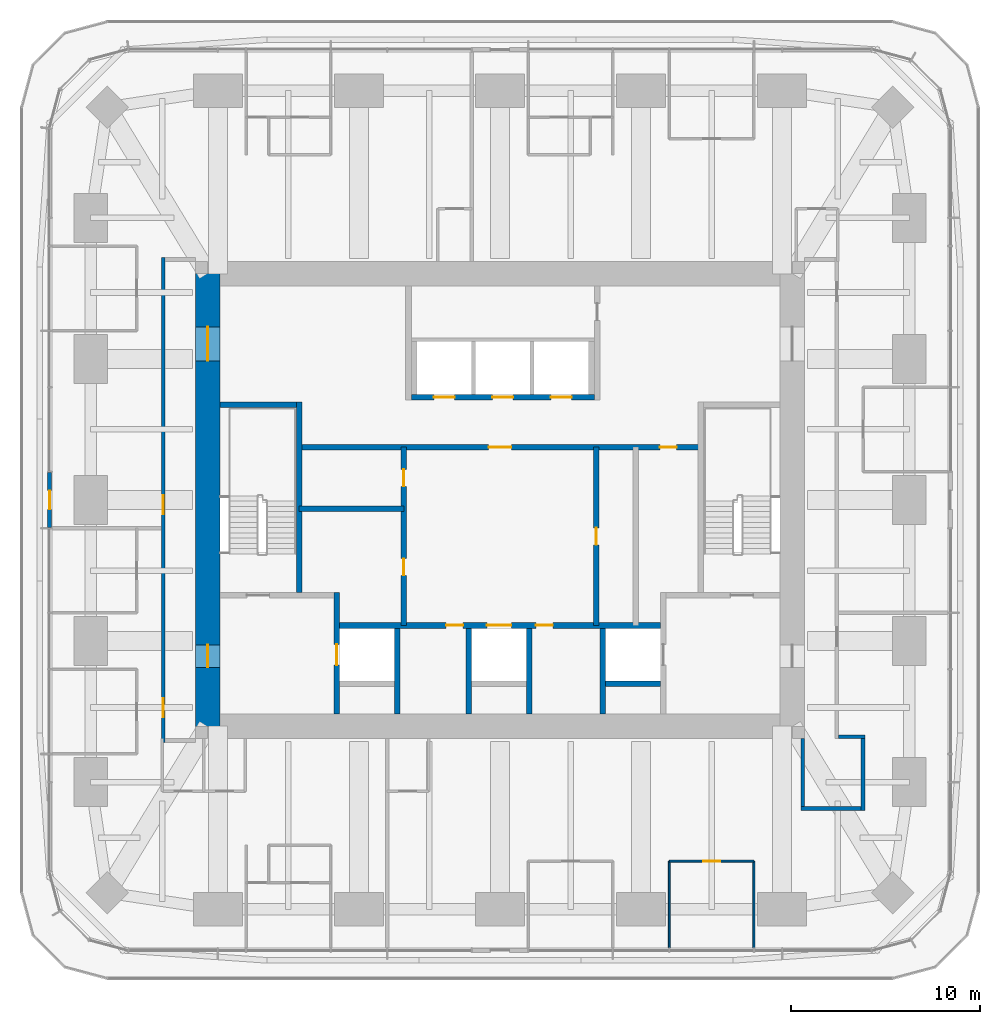
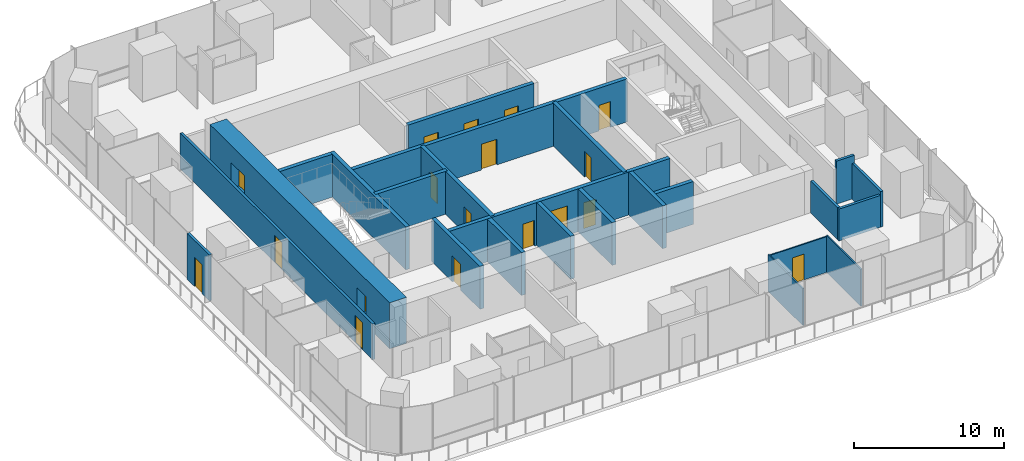
# One storey, part 9 of 15: 24 walls, 18 doors, 18 openings.
"""IFC4 building model written with IfcOpenShell, lengths in metres."""

from ifc_helpers import new_model, si_unit, direction, frame, frame_2d, origin, place, context, subcontext, project, spatial, rectangle, extrude, material, layer, layer_set, type_object, element, fill, save


model = new_model("IFC4")

# Units and contexts
model_context = context("Model", 3, precision=1e-05, world=origin(), true_north=direction((0.0, 1.0)))
body_context = subcontext(model_context, "Body", "Model", "MODEL_VIEW")
ifc_project = project(units=[si_unit("LENGTHUNIT", "METRE"), si_unit("AREAUNIT", "SQUARE_METRE"), si_unit("VOLUMEUNIT", "CUBIC_METRE"), si_unit("PLANEANGLEUNIT", "RADIAN"), si_unit("MASSUNIT", "GRAM", prefix="KILO")], contexts=[model_context])

# Site, building, storey
site_placement = place(None, origin())
site = spatial("IfcSite", under=ifc_project, at=site_placement, CompositionType="ELEMENT")
building_placement = place(site_placement, origin())
building = spatial("IfcBuilding", under=site, at=building_placement, Name="Khuree Lantern Residences", CompositionType="ELEMENT")
storey_placement = place(building_placement, frame((0.0, 0.0, 285.75)))
storey = spatial("IfcBuildingStorey", under=building, at=storey_placement, Name="L71", CompositionType="ELEMENT", Elevation=285.75)

# Wall, opening, door
ifc_material_1 = material(Name="Dense concrete blockwork", Category="masonry")
ifc_layer_1 = layer(ifc_material_1, 0.300048828125)
ifc_layer_set_1 = layer_set([ifc_layer_1], Name="CORE PARTITION WALL CPW300 EI 120")
wall_type_1 = type_object("IfcWallType", Name="CORE PARTITION WALL CPW300 EI 120", PredefinedType="PARTITIONING", material=ifc_layer_set_1)
wall_1_placement = place(storey_placement, frame((-8.64990234375, -11.35009765625, 0.0), z_axis=(0.0, 0.0, 1.0), x_axis=(0.0, 1.0, 0.0)))
wall_1 = element("IfcWall", 1, at=wall_1_placement, inside=storey, type_object=wall_type_1, Name="L71 CORE WALL FL1W", PredefinedType="PARTITIONING", context=body_context, shape_type="SweptSolid", body=[
    extrude(rectangle(XDim=6.4501953125, YDim=0.300048828125, at=frame_2d((3.22509765625, 0.0))), origin(), (0.0, 0.0, 1.0), 3.5),
])
opening_1_placement = place(wall_1_placement, frame((2.60009765625, 0.0, 0.0)))
opening_1 = element("IfcOpeningElement", 2, at=opening_1_placement, cuts=wall_1, Name="Opening 71-007", PredefinedType="OPENING", context=body_context, shape_type="SweptSolid", body=[
    extrude(rectangle(XDim=1.10009765625, YDim=2.10009765625, at=frame_2d((0.550048828125, 1.050048828125))), frame((0.0, 0.16015625, 0.0), z_axis=(0.0, -1.0, 0.0), x_axis=(1.0, 0.0, 0.0)), (0.0, 0.0, 1.0), 0.320068359375),
])
ifc_material_2 = material(Name="Stainless steel lift landing door", Category="steel")
door_type_1 = type_object("IfcDoorType", Name="LIFT LANDING DOOR 1100X2100 E 120", OperationType="DOUBLE_DOOR_SLIDING", PredefinedType="DOOR", material=ifc_material_2)
door_1_placement = place(opening_1_placement, origin())
door_1 = element("IfcDoor", 3, at=door_1_placement, inside=storey, type_object=door_type_1, Name="Landing door FL1 71-007", OperationType="DOUBLE_DOOR_SLIDING", OverallHeight=2.10009765625, OverallWidth=1.10009765625, PredefinedType="DOOR", context=body_context, shape_type="SweptSolid", body=[
    extrude(rectangle(XDim=1.10009765625, YDim=2.10009765625, at=frame_2d((0.550048828125, 1.050048828125))), frame((0.0, 0.02490234375, 0.0), z_axis=(0.0, -1.0, 0.0), x_axis=(1.0, 0.0, 0.0)), (0.0, 0.0, 1.0), 0.050048828125),
])
fill(opening_1, door_1)

# Wall, openings, doors
wall_2_placement = place(storey_placement, frame((-8.5, -6.64990234375, 0.0), z_axis=(0.0, 0.0, 1.0), x_axis=(1.0, 0.0, 0.0)))
wall_2 = element("IfcWall", 4, at=wall_2_placement, inside=storey, type_object=wall_type_1, Name="L71 CORE WALL FLROW", PredefinedType="PARTITIONING", context=body_context, shape_type="SweptSolid", body=[
    extrude(rectangle(XDim=17.0, YDim=0.300048828125, at=frame_2d((8.5, 0.0))), origin(), (0.0, 0.0, 1.0), 3.5),
])
opening_2_placement = place(wall_2_placement, frame((7.800048828125, 0.0, 0.0)))
opening_2 = element("IfcOpeningElement", 5, at=opening_2_placement, cuts=wall_2, Name="Opening 71-012", PredefinedType="OPENING", context=body_context, shape_type="SweptSolid", body=[
    extrude(rectangle(XDim=1.300048828125, YDim=2.39990234375, at=frame_2d((0.64990234375, 1.199951171875))), frame((0.0, 0.16015625, 0.0), z_axis=(0.0, -1.0, 0.0), x_axis=(1.0, 0.0, 0.0)), (0.0, 0.0, 1.0), 0.320068359375),
])
opening_3_placement = place(wall_2_placement, frame((5.64990234375, 0.0, 0.0)))
opening_3 = element("IfcOpeningElement", 6, at=opening_3_placement, cuts=wall_2, Name="Opening 71-014", PredefinedType="OPENING", context=body_context, shape_type="SweptSolid", body=[
    extrude(rectangle(XDim=0.89990234375, YDim=2.10009765625, at=frame_2d((0.449951171875, 1.050048828125))), frame((0.0, 0.16015625, 0.0), z_axis=(0.0, -1.0, 0.0), x_axis=(1.0, 0.0, 0.0)), (0.0, 0.0, 1.0), 0.320068359375),
])
opening_4_placement = place(wall_2_placement, frame((10.39990234375, 0.0, 0.0)))
opening_4 = element("IfcOpeningElement", 7, at=opening_4_placement, cuts=wall_2, Name="Opening 71-015", PredefinedType="OPENING", context=body_context, shape_type="SweptSolid", body=[
    extrude(rectangle(XDim=0.89990234375, YDim=2.10009765625, at=frame_2d((0.449951171875, 1.050048828125))), frame((0.0, 0.16015625, 0.0), z_axis=(0.0, -1.0, 0.0), x_axis=(1.0, 0.0, 0.0)), (0.0, 0.0, 1.0), 0.320068359375),
])
ifc_material_3 = material(Name="Steel door leaf in steel frame", Category="steel")
door_type_2 = type_object("IfcDoorType", Name="DOOR 900X2100 EI 60", OperationType="SINGLE_SWING_LEFT", PredefinedType="DOOR", material=ifc_material_3)
door_2_placement = place(opening_3_placement, origin())
door_2 = element("IfcDoor", 8, at=door_2_placement, inside=storey, type_object=door_type_2, Name="Refuse chute room door 71-014", OperationType="SINGLE_SWING_LEFT", OverallHeight=2.10009765625, OverallWidth=0.89990234375, PredefinedType="DOOR", context=body_context, shape_type="SweptSolid", body=[
    extrude(rectangle(XDim=0.89990234375, YDim=2.10009765625, at=frame_2d((0.449951171875, 1.050048828125))), frame((0.0, 0.02490234375, 0.0), z_axis=(0.0, -1.0, 0.0), x_axis=(1.0, 0.0, 0.0)), (0.0, 0.0, 1.0), 0.050048828125),
])
fill(opening_3, door_2)
door_type_3 = type_object("IfcDoorType", Name="DOOR 900X2100 EI 60 RIGHT HAND", OperationType="SINGLE_SWING_RIGHT", PredefinedType="DOOR", material=ifc_material_3)
door_3_placement = place(opening_4_placement, origin())
door_3 = element("IfcDoor", 9, at=door_3_placement, inside=storey, type_object=door_type_3, Name="Electrical and plumbing riser door 71-015", OperationType="SINGLE_SWING_RIGHT", OverallHeight=2.10009765625, OverallWidth=0.89990234375, PredefinedType="DOOR", context=body_context, shape_type="SweptSolid", body=[
    extrude(rectangle(XDim=0.89990234375, YDim=2.10009765625, at=frame_2d((0.449951171875, 1.050048828125))), frame((0.0, 0.02490234375, 0.0), z_axis=(0.0, -1.0, 0.0), x_axis=(1.0, 0.0, 0.0)), (0.0, 0.0, 1.0), 0.050048828125),
])
fill(opening_4, door_3)
door_type_4 = type_object("IfcDoorType", Name="LIFT LANDING DOOR 1300X2400 E 60", OperationType="DOUBLE_DOOR_SLIDING", PredefinedType="DOOR", material=ifc_material_2)
door_4_placement = place(opening_2_placement, origin())
door_4 = element("IfcDoor", 10, at=door_4_placement, inside=storey, type_object=door_type_4, Name="Landing door SL1 71-012", OperationType="DOUBLE_DOOR_SLIDING", OverallHeight=2.39990234375, OverallWidth=1.300048828125, PredefinedType="DOOR", context=body_context, shape_type="SweptSolid", body=[
    extrude(rectangle(XDim=1.300048828125, YDim=2.39990234375, at=frame_2d((0.64990234375, 1.199951171875))), frame((0.0, 0.02490234375, 0.0), z_axis=(0.0, -1.0, 0.0), x_axis=(1.0, 0.0, 0.0)), (0.0, 0.0, 1.0), 0.050048828125),
])
fill(opening_2, door_4)

# Walls
for number, where, z_axis, x_axis, name in (
    (11, (-5.449951171875, -11.35009765625, 0.0), (0.0, 0.0, 1.0), (0.0, 1.0, 0.0), "L71 CORE WALL FL1E"),
    (12, (-1.64990234375, -11.35009765625, 0.0), (0.0, 0.0, 1.0), (0.0, 1.0, 0.0), "L71 CORE WALL SL1W"),
    (13, (1.550048828125, -11.35009765625, 0.0), (0.0, 0.0, 1.0), (0.0, 1.0, 0.0), "L71 CORE WALL SL1E"),
    (14, (5.449951171875, -11.35009765625, 0.0), (0.0, 0.0, 1.0), (0.0, 1.0, 0.0), "L71 CORE WALL FL2W"),
):
    element("IfcWall", number, at=place(storey_placement, frame(where, z_axis=z_axis, x_axis=x_axis)), inside=storey, type_object=wall_type_1, Name=name, PredefinedType="PARTITIONING", context=body_context, shape_type="SweptSolid", body=[
        extrude(rectangle(XDim=4.550048828125, YDim=0.300048828125, at=frame_2d((2.27490234375, 0.0))), origin(), (0.0, 0.0, 1.0), 3.5),
    ])
wall_3_placement = place(storey_placement, frame((5.60009765625, -9.75, 0.0), z_axis=(0.0, 0.0, 1.0), x_axis=(1.0, 0.0, 0.0)))
element("IfcWall", 15, at=wall_3_placement, inside=storey, type_object=wall_type_1, Name="L71 CORE WALL FL2S", PredefinedType="PARTITIONING", context=body_context, shape_type="SweptSolid", body=[
    extrude(rectangle(XDim=2.89990234375, YDim=0.300048828125, at=frame_2d((1.449951171875, 0.0))), origin(), (0.0, 0.0, 1.0), 3.5),
])

# Wall, openings, doors
wall_4_placement = place(storey_placement, frame((-4.699951171875, 5.449951171875, 0.0), z_axis=(0.0, 0.0, 1.0), x_axis=(1.0, 0.0, 0.0)))
wall_4 = element("IfcWall", 16, at=wall_4_placement, inside=storey, type_object=wall_type_1, Name="L71 CORE WALL PHS", PredefinedType="PARTITIONING", context=body_context, shape_type="SweptSolid", body=[
    extrude(rectangle(XDim=9.699951171875, YDim=0.300048828125, at=frame_2d((4.85009765625, 0.0))), origin(), (0.0, 0.0, 1.0), 3.5),
])
opening_5_placement = place(wall_4_placement, frame((1.199951171875, 0.0, 0.0)))
opening_5 = element("IfcOpeningElement", 17, at=opening_5_placement, cuts=wall_4, Name="Opening 71-009", PredefinedType="OPENING", context=body_context, shape_type="SweptSolid", body=[
    extrude(rectangle(XDim=1.10009765625, YDim=2.10009765625, at=frame_2d((0.550048828125, 1.050048828125))), frame((0.0, 0.16015625, 0.0), z_axis=(0.0, -1.0, 0.0), x_axis=(1.0, 0.0, 0.0)), (0.0, 0.0, 1.0), 0.320068359375),
])
opening_6_placement = place(wall_4_placement, frame((4.300048828125, 0.0, 0.0)))
opening_6 = element("IfcOpeningElement", 18, at=opening_6_placement, cuts=wall_4, Name="Opening 71-010", PredefinedType="OPENING", context=body_context, shape_type="SweptSolid", body=[
    extrude(rectangle(XDim=1.10009765625, YDim=2.10009765625, at=frame_2d((0.550048828125, 1.050048828125))), frame((0.0, 0.16015625, 0.0), z_axis=(0.0, -1.0, 0.0), x_axis=(1.0, 0.0, 0.0)), (0.0, 0.0, 1.0), 0.320068359375),
])
opening_7_placement = place(wall_4_placement, frame((7.39990234375, 0.0, 0.0)))
opening_7 = element("IfcOpeningElement", 19, at=opening_7_placement, cuts=wall_4, Name="Opening 71-011", PredefinedType="OPENING", context=body_context, shape_type="SweptSolid", body=[
    extrude(rectangle(XDim=1.10009765625, YDim=2.10009765625, at=frame_2d((0.550048828125, 1.050048828125))), frame((0.0, 0.16015625, 0.0), z_axis=(0.0, -1.0, 0.0), x_axis=(1.0, 0.0, 0.0)), (0.0, 0.0, 1.0), 0.320068359375),
])
door_type_5 = type_object("IfcDoorType", Name="LIFT LANDING DOOR 1100X2100 E 60", OperationType="DOUBLE_DOOR_SLIDING", PredefinedType="DOOR", material=ifc_material_2)
door_5_placement = place(opening_5_placement, origin())
door_5 = element("IfcDoor", 20, at=door_5_placement, inside=storey, type_object=door_type_5, Name="Landing door PH1 71-009", OperationType="DOUBLE_DOOR_SLIDING", OverallHeight=2.10009765625, OverallWidth=1.10009765625, PredefinedType="DOOR", context=body_context, shape_type="SweptSolid", body=[
    extrude(rectangle(XDim=1.10009765625, YDim=2.10009765625, at=frame_2d((0.550048828125, 1.050048828125))), frame((0.0, 0.02490234375, 0.0), z_axis=(0.0, -1.0, 0.0), x_axis=(1.0, 0.0, 0.0)), (0.0, 0.0, 1.0), 0.050048828125),
])
fill(opening_5, door_5)
door_6_placement = place(opening_6_placement, origin())
door_6 = element("IfcDoor", 21, at=door_6_placement, inside=storey, type_object=door_type_5, Name="Landing door PH2 71-010", OperationType="DOUBLE_DOOR_SLIDING", OverallHeight=2.10009765625, OverallWidth=1.10009765625, PredefinedType="DOOR", context=body_context, shape_type="SweptSolid", body=[
    extrude(rectangle(XDim=1.10009765625, YDim=2.10009765625, at=frame_2d((0.550048828125, 1.050048828125))), frame((0.0, 0.02490234375, 0.0), z_axis=(0.0, -1.0, 0.0), x_axis=(1.0, 0.0, 0.0)), (0.0, 0.0, 1.0), 0.050048828125),
])
fill(opening_6, door_6)
door_7_placement = place(opening_7_placement, origin())
door_7 = element("IfcDoor", 22, at=door_7_placement, inside=storey, type_object=door_type_5, Name="Landing door PH3 71-011", OperationType="DOUBLE_DOOR_SLIDING", OverallHeight=2.10009765625, OverallWidth=1.10009765625, PredefinedType="DOOR", context=body_context, shape_type="SweptSolid", body=[
    extrude(rectangle(XDim=1.10009765625, YDim=2.10009765625, at=frame_2d((0.550048828125, 1.050048828125))), frame((0.0, 0.02490234375, 0.0), z_axis=(0.0, -1.0, 0.0), x_axis=(1.0, 0.0, 0.0)), (0.0, 0.0, 1.0), 0.050048828125),
])
fill(opening_7, door_7)

wall_5_placement = place(storey_placement, frame((-10.64990234375, 2.800048828125, 0.0), z_axis=(0.0, 0.0, 1.0), x_axis=(1.0, 0.0, 0.0)))
wall_5 = element("IfcWall", 23, at=wall_5_placement, inside=storey, type_object=wall_type_1, Name="L71 CORE WALL LLS", PredefinedType="PARTITIONING", context=body_context, shape_type="SweptSolid", body=[
    extrude(rectangle(XDim=21.2998046875, YDim=0.300048828125, at=frame_2d((10.64990234375, 0.0))), origin(), (0.0, 0.0, 1.0), 3.5),
])
opening_8_placement = place(wall_5_placement, frame((10.050048828125, 0.0, 0.0)))
opening_8 = element("IfcOpeningElement", 24, at=opening_8_placement, cuts=wall_5, Name="Opening 71-013", PredefinedType="OPENING", context=body_context, shape_type="SweptSolid", body=[
    extrude(rectangle(XDim=1.199951171875, YDim=2.10009765625, at=frame_2d((0.60009765625, 1.050048828125))), frame((0.0, 0.16015625, 0.0), z_axis=(0.0, -1.0, 0.0), x_axis=(1.0, 0.0, 0.0)), (0.0, 0.0, 1.0), 0.320068359375),
])
opening_9_placement = place(wall_5_placement, frame((19.12109375, 0.0, 0.0)))
opening_9 = element("IfcOpeningElement", 25, at=opening_9_placement, cuts=wall_5, Name="Opening 71-019", PredefinedType="OPENING", context=body_context, shape_type="SweptSolid", body=[
    extrude(rectangle(XDim=0.89990234375, YDim=2.10009765625, at=frame_2d((0.449951171875, 1.050048828125))), frame((0.0, 0.16015625, 0.0), z_axis=(0.0, -1.0, 0.0), x_axis=(1.0, 0.0, 0.0)), (0.0, 0.0, 1.0), 0.320068359375),
])
door_type_6 = type_object("IfcDoorType", Name="DOOR 1200X2100 EI 60", OperationType="SINGLE_SWING_LEFT", PredefinedType="DOOR", material=ifc_material_3)
door_8_placement = place(opening_8_placement, origin())
door_8 = element("IfcDoor", 26, at=door_8_placement, inside=storey, type_object=door_type_6, Name="Service lift lobby door 71-013", OperationType="SINGLE_SWING_LEFT", OverallHeight=2.10009765625, OverallWidth=1.199951171875, PredefinedType="DOOR", context=body_context, shape_type="SweptSolid", body=[
    extrude(rectangle(XDim=1.199951171875, YDim=2.10009765625, at=frame_2d((0.60009765625, 1.050048828125))), frame((0.0, 0.02490234375, 0.0), z_axis=(0.0, -1.0, 0.0), x_axis=(1.0, 0.0, 0.0)), (0.0, 0.0, 1.0), 0.050048828125),
])
fill(opening_8, door_8)
ifc_material_4 = material(Name="Timber door leaf in hardwood frame", Category="wood")
door_type_7 = type_object("IfcDoorType", Name="DOOR 900X2100 RIGHT HAND", OperationType="SINGLE_SWING_RIGHT", PredefinedType="DOOR", material=ifc_material_4)
door_9_placement = place(opening_9_placement, origin())
door_9 = element("IfcDoor", 27, at=door_9_placement, inside=storey, type_object=door_type_7, Name="Residents' store door 71-019", OperationType="SINGLE_SWING_RIGHT", OverallHeight=2.10009765625, OverallWidth=0.89990234375, PredefinedType="DOOR", context=body_context, shape_type="SweptSolid", body=[
    extrude(rectangle(XDim=0.89990234375, YDim=2.10009765625, at=frame_2d((0.449951171875, 1.050048828125))), frame((0.0, 0.02490234375, 0.0), z_axis=(0.0, -1.0, 0.0), x_axis=(1.0, 0.0, 0.0)), (0.0, 0.0, 1.0), 0.050048828125),
])
fill(opening_9, door_9)

wall_6_placement = place(storey_placement, frame((-5.10009765625, -6.64990234375, 0.0), z_axis=(0.0, 0.0, 1.0), x_axis=(0.0, 1.0, 0.0)))
wall_6 = element("IfcWall", 28, at=wall_6_placement, inside=storey, type_object=wall_type_1, Name="L71 CORE WALL SVW", PredefinedType="PARTITIONING", context=body_context, shape_type="SweptSolid", body=[
    extrude(rectangle(XDim=9.449951171875, YDim=0.300048828125, at=frame_2d((4.72509765625, 0.0))), origin(), (0.0, 0.0, 1.0), 3.5),
])
opening_10_placement = place(wall_6_placement, frame((2.64794921875, 0.0, 0.0)))
opening_10 = element("IfcOpeningElement", 29, at=opening_10_placement, cuts=wall_6, Name="Opening 71-016", PredefinedType="OPENING", context=body_context, shape_type="SweptSolid", body=[
    extrude(rectangle(XDim=0.89990234375, YDim=2.10009765625, at=frame_2d((0.449951171875, 1.050048828125))), frame((0.0, 0.16015625, 0.0), z_axis=(0.0, -1.0, 0.0), x_axis=(1.0, 0.0, 0.0)), (0.0, 0.0, 1.0), 0.320068359375),
])
opening_11_placement = place(wall_6_placement, frame((7.373046875, 0.0, 0.0)))
opening_11 = element("IfcOpeningElement", 30, at=opening_11_placement, cuts=wall_6, Name="Opening 71-017", PredefinedType="OPENING", context=body_context, shape_type="SweptSolid", body=[
    extrude(rectangle(XDim=0.89990234375, YDim=2.10009765625, at=frame_2d((0.449951171875, 1.050048828125))), frame((0.0, 0.16015625, 0.0), z_axis=(0.0, -1.0, 0.0), x_axis=(1.0, 0.0, 0.0)), (0.0, 0.0, 1.0), 0.320068359375),
])
door_type_8 = type_object("IfcDoorType", Name="DOOR 900X2100", OperationType="SINGLE_SWING_LEFT", PredefinedType="DOOR", material=ifc_material_4)
door_10_placement = place(opening_10_placement, origin())
door_10 = element("IfcDoor", 31, at=door_10_placement, inside=storey, type_object=door_type_8, Name="Residents' store door 71-016", OperationType="SINGLE_SWING_LEFT", OverallHeight=2.10009765625, OverallWidth=0.89990234375, PredefinedType="DOOR", context=body_context, shape_type="SweptSolid", body=[
    extrude(rectangle(XDim=0.89990234375, YDim=2.10009765625, at=frame_2d((0.449951171875, 1.050048828125))), frame((0.0, 0.02490234375, 0.0), z_axis=(0.0, -1.0, 0.0), x_axis=(1.0, 0.0, 0.0)), (0.0, 0.0, 1.0), 0.050048828125),
])
fill(opening_10, door_10)
door_11_placement = place(opening_11_placement, origin())
door_11 = element("IfcDoor", 32, at=door_11_placement, inside=storey, type_object=door_type_8, Name="Parcel room door 71-017", OperationType="SINGLE_SWING_LEFT", OverallHeight=2.10009765625, OverallWidth=0.89990234375, PredefinedType="DOOR", context=body_context, shape_type="SweptSolid", body=[
    extrude(rectangle(XDim=0.89990234375, YDim=2.10009765625, at=frame_2d((0.449951171875, 1.050048828125))), frame((0.0, 0.02490234375, 0.0), z_axis=(0.0, -1.0, 0.0), x_axis=(1.0, 0.0, 0.0)), (0.0, 0.0, 1.0), 0.050048828125),
])
fill(opening_11, door_11)

# Wall, opening, door
wall_7_placement = place(storey_placement, frame((5.10009765625, -6.64990234375, 0.0), z_axis=(0.0, 0.0, 1.0), x_axis=(0.0, 1.0, 0.0)))
wall_7 = element("IfcWall", 33, at=wall_7_placement, inside=storey, type_object=wall_type_1, Name="L71 CORE WALL SVE", PredefinedType="PARTITIONING", context=body_context, shape_type="SweptSolid", body=[
    extrude(rectangle(XDim=9.449951171875, YDim=0.300048828125, at=frame_2d((4.72509765625, 0.0))), origin(), (0.0, 0.0, 1.0), 3.5),
])
opening_12_placement = place(wall_7_placement, frame((4.27490234375, 0.0, 0.0)))
opening_12 = element("IfcOpeningElement", 34, at=opening_12_placement, cuts=wall_7, Name="Opening 71-018", PredefinedType="OPENING", context=body_context, shape_type="SweptSolid", body=[
    extrude(rectangle(XDim=0.89990234375, YDim=2.10009765625, at=frame_2d((0.449951171875, 1.050048828125))), frame((0.0, 0.16015625, 0.0), z_axis=(0.0, -1.0, 0.0), x_axis=(1.0, 0.0, 0.0)), (0.0, 0.0, 1.0), 0.320068359375),
])
door_12_placement = place(opening_12_placement, origin())
door_12 = element("IfcDoor", 35, at=door_12_placement, inside=storey, type_object=door_type_8, Name="Bulky waste store door 71-018", OperationType="SINGLE_SWING_LEFT", OverallHeight=2.10009765625, OverallWidth=0.89990234375, PredefinedType="DOOR", context=body_context, shape_type="SweptSolid", body=[
    extrude(rectangle(XDim=0.89990234375, YDim=2.10009765625, at=frame_2d((0.449951171875, 1.050048828125))), frame((0.0, 0.02490234375, 0.0), z_axis=(0.0, -1.0, 0.0), x_axis=(1.0, 0.0, 0.0)), (0.0, 0.0, 1.0), 0.050048828125),
])
fill(opening_12, door_12)

# Walls
wall_8_placement = place(storey_placement, frame((-10.64990234375, -0.455078125, 0.0), z_axis=(0.0, 0.0, 1.0), x_axis=(1.0, 0.0, 0.0)))
element("IfcWall", 36, at=wall_8_placement, inside=storey, type_object=wall_type_1, Name="L71 CORE WALL WX", PredefinedType="PARTITIONING", context=body_context, shape_type="SweptSolid", body=[
    extrude(rectangle(XDim=5.5498046875, YDim=0.300048828125, at=frame_2d((2.77490234375, 0.0))), origin(), (0.0, 0.0, 1.0), 3.5),
])
ifc_material_5 = material(Name="Gypsum board on steel studs", Category="steel")
ifc_layer_2 = layer(ifc_material_5, 0.199951171875)
ifc_layer_set_2 = layer_set([ifc_layer_2], Name="CORRIDOR WALL CRW200 EI 60")
wall_type_2 = type_object("IfcWallType", Name="CORRIDOR WALL CRW200 EI 60", PredefinedType="PARTITIONING", material=ifc_layer_set_2)
wall_9_placement = place(storey_placement, frame((17.949951171875, -12.550048828125, 0.0), z_axis=(0.0, 0.0, 1.0), x_axis=(1.0, 0.0, 0.0)))
element("IfcWall", 37, at=wall_9_placement, inside=storey, type_object=wall_type_2, Name="L71 RESIDENTS LOUNGE WALL", PredefinedType="PARTITIONING", context=body_context, shape_type="SweptSolid", body=[
    extrude(rectangle(XDim=1.400146484375, YDim=0.199951171875, at=frame_2d((0.7001953125, 0.0))), origin(), (0.0, 0.0, 1.0), 3.5),
])
wall_10_placement = place(storey_placement, frame((19.25, -12.449951171875, 0.0), z_axis=(0.0, 0.0, 1.0), x_axis=(0.0, -1.0, 0.0)))
element("IfcWall", 38, at=wall_10_placement, inside=storey, type_object=wall_type_2, Name="L71 RESIDENTS LOUNGE WALL", PredefinedType="PARTITIONING", context=body_context, shape_type="SweptSolid", body=[
    extrude(rectangle(XDim=4.0, YDim=0.199951171875, at=frame_2d((2.0, 0.0))), origin(), (0.0, 0.0, 1.0), 2.89990234375),
])
wall_11_placement = place(storey_placement, frame((19.14990234375, -16.35009765625, 0.0), z_axis=(0.0, 0.0, 1.0), x_axis=(-1.0, 0.0, 0.0)))
element("IfcWall", 39, at=wall_11_placement, inside=storey, type_object=wall_type_2, Name="L71 RESIDENTS LOUNGE WALL", PredefinedType="PARTITIONING", context=body_context, shape_type="SweptSolid", body=[
    extrude(rectangle(XDim=3.199951171875, YDim=0.199951171875, at=frame_2d((1.60009765625, 0.0))), origin(), (0.0, 0.0, 1.0), 2.60009765625),
])
wall_12_placement = place(storey_placement, frame((16.050048828125, -16.449951171875, 0.0), z_axis=(0.0, 0.0, 1.0), x_axis=(0.0, 1.0, 0.0)))
element("IfcWall", 40, at=wall_12_placement, inside=storey, type_object=wall_type_2, Name="L71 RESIDENTS LOUNGE WALL", PredefinedType="PARTITIONING", context=body_context, shape_type="SweptSolid", body=[
    extrude(rectangle(XDim=3.800048828125, YDim=0.199951171875, at=frame_2d((1.89990234375, 0.0))), origin(), (0.0, 0.0, 1.0), 2.60009765625),
])

# Wall, openings, doors
wall_13_placement = place(storey_placement, frame((-17.85009765625, 12.85009765625, 0.0), z_axis=(0.0, 0.0, 1.0), x_axis=(0.0, -1.0, 0.0)))
wall_13 = element("IfcWall", 41, at=wall_13_placement, inside=storey, type_object=wall_type_2, Name="L71 CORRIDOR WALL WEST 1", PredefinedType="PARTITIONING", context=body_context, shape_type="SweptSolid", body=[
    extrude(rectangle(XDim=25.7001953125, YDim=0.199951171875, at=frame_2d((12.85009765625, 0.0))), origin(), (0.0, 0.0, 1.0), 2.89990234375),
])
opening_13_placement = place(wall_13_placement, frame((12.60009765625, 0.0, 0.0)))
opening_13 = element("IfcOpeningElement", 42, at=opening_13_placement, cuts=wall_13, Name="Opening 71-031", PredefinedType="OPENING", context=body_context, shape_type="SweptSolid", body=[
    extrude(rectangle(XDim=1.0, YDim=2.199951171875, at=frame_2d((0.5, 1.10009765625))), frame((0.0, 0.10986328125, 0.0), z_axis=(0.0, -1.0, 0.0), x_axis=(1.0, 0.0, 0.0)), (0.0, 0.0, 1.0), 0.219970703125),
])
opening_14_placement = place(wall_13_placement, frame((23.365966796875, 0.0, 0.0)))
opening_14 = element("IfcOpeningElement", 43, at=opening_14_placement, cuts=wall_13, Name="Opening 71-038", PredefinedType="OPENING", context=body_context, shape_type="SweptSolid", body=[
    extrude(rectangle(XDim=1.0, YDim=2.199951171875, at=frame_2d((0.5, 1.10009765625))), frame((0.0, 0.10986328125, 0.0), z_axis=(0.0, -1.0, 0.0), x_axis=(1.0, 0.0, 0.0)), (0.0, 0.0, 1.0), 0.219970703125),
])
door_type_9 = type_object("IfcDoorType", Name="APARTMENT ENTRANCE DOOR 1000X2200 EI 30S", OperationType="SINGLE_SWING_LEFT", PredefinedType="DOOR", material=ifc_material_4)
door_13_placement = place(opening_13_placement, origin())
door_13 = element("IfcDoor", 44, at=door_13_placement, inside=storey, type_object=door_type_9, Name="Apartment 02 entrance door 71-031", OperationType="SINGLE_SWING_LEFT", OverallHeight=2.199951171875, OverallWidth=1.0, PredefinedType="DOOR", context=body_context, shape_type="SweptSolid", body=[
    extrude(rectangle(XDim=1.0, YDim=2.199951171875, at=frame_2d((0.5, 1.10009765625))), frame((0.0, 0.02490234375, 0.0), z_axis=(0.0, -1.0, 0.0), x_axis=(1.0, 0.0, 0.0)), (0.0, 0.0, 1.0), 0.050048828125),
])
fill(opening_13, door_13)
door_type_10 = type_object("IfcDoorType", Name="APARTMENT ENTRANCE DOOR 1000X2200 EI 30S RIGHT HAND", OperationType="SINGLE_SWING_RIGHT", PredefinedType="DOOR", material=ifc_material_4)
door_14_placement = place(opening_14_placement, origin())
door_14 = element("IfcDoor", 45, at=door_14_placement, inside=storey, type_object=door_type_10, Name="Apartment 03 entrance door 71-038", OperationType="SINGLE_SWING_RIGHT", OverallHeight=2.199951171875, OverallWidth=1.0, PredefinedType="DOOR", context=body_context, shape_type="SweptSolid", body=[
    extrude(rectangle(XDim=1.0, YDim=2.199951171875, at=frame_2d((0.5, 1.10009765625))), frame((0.0, 0.02490234375, 0.0), z_axis=(0.0, -1.0, 0.0), x_axis=(1.0, 0.0, 0.0)), (0.0, 0.0, 1.0), 0.050048828125),
])
fill(opening_14, door_14)

ifc_material_6 = material(Name="Concrete C50/60", Category="concrete")
ifc_layer_3 = layer(ifc_material_6, 1.300048828125)
ifc_layer_set_3 = layer_set([ifc_layer_3], Name="CW1300-C50 CORE WALL C50 1300")
wall_type_3 = type_object("IfcWallType", Name="CW1300-C50 CORE WALL C50 1300", PredefinedType="SHEAR", material=ifc_layer_set_3)
wall_14_placement = place(storey_placement, frame((-15.5, -12.0, -0.25), z_axis=(0.0, 0.0, 1.0), x_axis=(0.0, 1.0, 0.0)))
wall_14 = element("IfcWall", 46, at=wall_14_placement, inside=storey, type_object=wall_type_3, Name="Core wall W", PredefinedType="SHEAR", context=body_context, shape_type="SweptSolid", body=[
    extrude(rectangle(XDim=24.0, YDim=1.300048828125, at=frame_2d((12.0, 0.0))), origin(), (0.0, 0.0, 1.0), 3.75),
])
opening_15_placement = place(wall_14_placement, frame((3.125, 0.0, 0.25)))
opening_15 = element("IfcOpeningElement", 47, at=opening_15_placement, cuts=wall_14, Name="Opening 71-002", PredefinedType="OPENING", context=body_context, shape_type="SweptSolid", body=[
    extrude(rectangle(XDim=1.199951171875, YDim=2.10009765625, at=frame_2d((0.60009765625, 1.050048828125))), frame((0.0, 0.66015625, 0.0), z_axis=(0.0, -1.0, 0.0), x_axis=(1.0, 0.0, 0.0)), (0.0, 0.0, 1.0), 1.320068359375),
])
opening_16_placement = place(wall_14_placement, frame((19.375, 0.0, 0.25)))
opening_16 = element("IfcOpeningElement", 48, at=opening_16_placement, cuts=wall_14, Name="Opening 71-003", PredefinedType="OPENING", context=body_context, shape_type="SweptSolid", body=[
    extrude(rectangle(XDim=1.800048828125, YDim=2.10009765625, at=frame_2d((0.89990234375, 1.050048828125))), frame((0.0, 0.66015625, 0.0), z_axis=(0.0, -1.0, 0.0), x_axis=(1.0, 0.0, 0.0)), (0.0, 0.0, 1.0), 1.320068359375),
])
door_type_11 = type_object("IfcDoorType", Name="LOBBY DOOR 1200X2100 EI 120", OperationType="SINGLE_SWING_LEFT", PredefinedType="DOOR", material=ifc_material_3)
door_15_placement = place(opening_15_placement, origin())
door_15 = element("IfcDoor", 49, at=door_15_placement, inside=storey, type_object=door_type_11, Name="Firefighting lobby door 71-002", OperationType="SINGLE_SWING_LEFT", OverallHeight=2.10009765625, OverallWidth=1.199951171875, PredefinedType="DOOR", context=body_context, shape_type="SweptSolid", body=[
    extrude(rectangle(XDim=1.199951171875, YDim=2.10009765625, at=frame_2d((0.60009765625, 1.050048828125))), frame((0.0, 0.02490234375, 0.0), z_axis=(0.0, -1.0, 0.0), x_axis=(1.0, 0.0, 0.0)), (0.0, 0.0, 1.0), 0.050048828125),
])
fill(opening_15, door_15)
door_type_12 = type_object("IfcDoorType", Name="LOBBY DOUBLE DOOR 1800X2100 EI 60", OperationType="DOUBLE_DOOR_SINGLE_SWING", PredefinedType="DOOR", material=ifc_material_3)
door_16_placement = place(opening_16_placement, origin())
door_16 = element("IfcDoor", 50, at=door_16_placement, inside=storey, type_object=door_type_12, Name="Lift lobby door 71-003", OperationType="DOUBLE_DOOR_SINGLE_SWING", OverallHeight=2.10009765625, OverallWidth=1.800048828125, PredefinedType="DOOR", context=body_context, shape_type="SweptSolid", body=[
    extrude(rectangle(XDim=1.800048828125, YDim=2.10009765625, at=frame_2d((0.89990234375, 1.050048828125))), frame((0.0, 0.02490234375, 0.0), z_axis=(0.0, -1.0, 0.0), x_axis=(1.0, 0.0, 0.0)), (0.0, 0.0, 1.0), 0.050048828125),
])
fill(opening_16, door_16)

# Walls
ifc_layer_4 = layer(ifc_material_5, 0.10009765625)
ifc_layer_set_4 = layer_set([ifc_layer_4], Name="PARTITION PT100")
wall_type_4 = type_object("IfcWallType", Name="PARTITION PT100", PredefinedType="PARTITIONING", material=ifc_layer_set_4)
for number, where, z_axis, x_axis, name in (
    (51, (8.97607421875, -19.14990234375, 0.0), (0.0, 0.0, 1.0), (0.0, -1.0, 0.0), "L71 PARTITION 04"),
    (52, (13.464111328125, -19.14990234375, 0.0), (0.0, 0.0, 1.0), (0.0, -1.0, 0.0), "L71 PARTITION 04"),
):
    element("IfcWall", number, at=place(storey_placement, frame(where, z_axis=z_axis, x_axis=x_axis)), inside=storey, type_object=wall_type_4, Name=name, PredefinedType="PARTITIONING", context=body_context, shape_type="SweptSolid", body=[
        extrude(rectangle(XDim=4.60009765625, YDim=0.10009765625, at=frame_2d((2.300048828125, 0.0))), origin(), (0.0, 0.0, 1.0), 3.010009765625),
    ])

# Wall, opening, door
wall_15_placement = place(storey_placement, frame((8.97607421875, -19.14990234375, 0.0), z_axis=(0.0, 0.0, 1.0), x_axis=(1.0, 0.0, 0.0)))
wall_15 = element("IfcWall", 53, at=wall_15_placement, inside=storey, type_object=wall_type_4, Name="L71 PARTITION 04", PredefinedType="PARTITIONING", context=body_context, shape_type="SweptSolid", body=[
    extrude(rectangle(XDim=4.488037109375, YDim=0.10009765625, at=frame_2d((2.244140625, 0.0))), origin(), (0.0, 0.0, 1.0), 2.909912109375),
])
opening_17_placement = place(wall_15_placement, frame((1.7939453125, 0.0, 0.0)))
opening_17 = element("IfcOpeningElement", 54, at=opening_17_placement, cuts=wall_15, Name="Opening 71-040", PredefinedType="OPENING", context=body_context, shape_type="SweptSolid", body=[
    extrude(rectangle(XDim=0.89990234375, YDim=2.10009765625, at=frame_2d((0.449951171875, 1.050048828125))), frame((0.0, 0.06005859375, 0.0), z_axis=(0.0, -1.0, 0.0), x_axis=(1.0, 0.0, 0.0)), (0.0, 0.0, 1.0), 0.1201171875),
])
door_type_13 = type_object("IfcDoorType", Name="BEDROOM DOOR 900X2100", OperationType="SINGLE_SWING_LEFT", PredefinedType="DOOR", material=ifc_material_4)
door_17_placement = place(opening_17_placement, origin())
door_17 = element("IfcDoor", 55, at=door_17_placement, inside=storey, type_object=door_type_13, Name="Bedroom door 71-040", OperationType="SINGLE_SWING_LEFT", OverallHeight=2.10009765625, OverallWidth=0.89990234375, PredefinedType="DOOR", context=body_context, shape_type="SweptSolid", body=[
    extrude(rectangle(XDim=0.89990234375, YDim=2.10009765625, at=frame_2d((0.449951171875, 1.050048828125))), frame((0.0, 0.02490234375, 0.0), z_axis=(0.0, -1.0, 0.0), x_axis=(1.0, 0.0, 0.0)), (0.0, 0.0, 1.0), 0.050048828125),
])
fill(opening_17, door_17)

# Walls
ifc_layer_5 = layer(ifc_material_6, 0.300048828125)
ifc_layer_set_5 = layer_set([ifc_layer_5], Name="STAIR WALL SRW300 C50/60 REI 240")
wall_type_5 = type_object("IfcWallType", Name="STAIR WALL SRW300 C50/60 REI 240", PredefinedType="SOLIDWALL", material=ifc_layer_set_5)
wall_16_placement = place(storey_placement, frame((-10.64990234375, -4.89990234375, 0.0), z_axis=(0.0, 0.0, 1.0), x_axis=(0.0, 1.0, 0.0)))
element("IfcWall", 56, at=wall_16_placement, inside=storey, type_object=wall_type_5, Name="L71 STAIR WALL ST1E", PredefinedType="SOLIDWALL", context=body_context, shape_type="SweptSolid", body=[
    extrude(rectangle(XDim=10.099853515625, YDim=0.300048828125, at=frame_2d((5.0498046875, 0.0))), origin(), (0.0, 0.0, 1.0), 3.5),
])
wall_17_placement = place(storey_placement, frame((-14.85009765625, 5.050048828125, 0.0), z_axis=(0.0, 0.0, 1.0), x_axis=(1.0, 0.0, 0.0)))
element("IfcWall", 57, at=wall_17_placement, inside=storey, type_object=wall_type_5, Name="L71 STAIR WALL ST1N", PredefinedType="SOLIDWALL", context=body_context, shape_type="SweptSolid", body=[
    extrude(rectangle(XDim=4.050048828125, YDim=0.300048828125, at=frame_2d((2.02490234375, 0.0))), origin(), (0.0, 0.0, 1.0), 3.5),
])

# Wall, opening, door
ifc_material_7 = material(Name="Bronze anodised aluminium insulated panel", Category="aluminium")
ifc_layer_6 = layer(ifc_material_7, 0.199951171875)
ifc_layer_set_6 = layer_set([ifc_layer_6], Name="TERRACE DOOR SURROUND TS1 200")
wall_type_6 = type_object("IfcWallType", Name="TERRACE DOOR SURROUND TS1 200", PredefinedType="ELEMENTEDWALL", material=ifc_layer_set_6)
wall_18_placement = place(storey_placement, frame((-23.8798828125, 1.46337890625, 0.0), z_axis=(0.0, 0.0, 1.0), x_axis=(0.0, -1.0, 0.0)))
wall_18 = element("IfcWall", 58, at=wall_18_placement, inside=storey, type_object=wall_type_6, Name="L71 WEST FACE TERRACE DOOR SURROUND 37", PredefinedType="ELEMENTEDWALL", context=body_context, shape_type="SweptSolid", body=[
    extrude(rectangle(XDim=2.9267578125, YDim=0.199951171875, at=frame_2d((1.46337890625, 0.0))), origin(), (0.0, 0.0, 1.0), 3.75),
])
opening_18_placement = place(wall_18_placement, frame((0.96337890625, 0.0, 0.0)))
opening_18 = element("IfcOpeningElement", 59, at=opening_18_placement, cuts=wall_18, Name="Opening 71-T03", PredefinedType="OPENING", context=body_context, shape_type="SweptSolid", body=[
    extrude(rectangle(XDim=1.0, YDim=2.39990234375, at=frame_2d((0.5, 1.199951171875))), frame((0.0, 0.10986328125, 0.0), z_axis=(0.0, -1.0, 0.0), x_axis=(1.0, 0.0, 0.0)), (0.0, 0.0, 1.0), 0.219970703125),
])
ifc_material_8 = material(Name="Bronze anodised aluminium framed triple glazing", Category="aluminium")
door_type_14 = type_object("IfcDoorType", Name="TERRACE DOOR D-T1 1000X2400", OperationType="SINGLE_SWING_RIGHT", PredefinedType="DOOR", material=ifc_material_8)
door_18_placement = place(opening_18_placement, origin())
door_18 = element("IfcDoor", 60, at=door_18_placement, inside=storey, type_object=door_type_14, Name="L71 WEST FACE TERRACE DOOR 71-T03", OperationType="SINGLE_SWING_LEFT", OverallHeight=2.39990234375, OverallWidth=1.0, PredefinedType="DOOR", context=body_context, shape_type="SweptSolid", body=[
    extrude(rectangle(XDim=1.0, YDim=2.39990234375, at=frame_2d((0.5, 1.199951171875))), frame((0.0, 0.02490234375, 0.0), z_axis=(0.0, -1.0, 0.0), x_axis=(1.0, 0.0, 0.0)), (0.0, 0.0, 1.0), 0.050048828125),
])
fill(opening_18, door_18)

save(model, "model.ifc")
